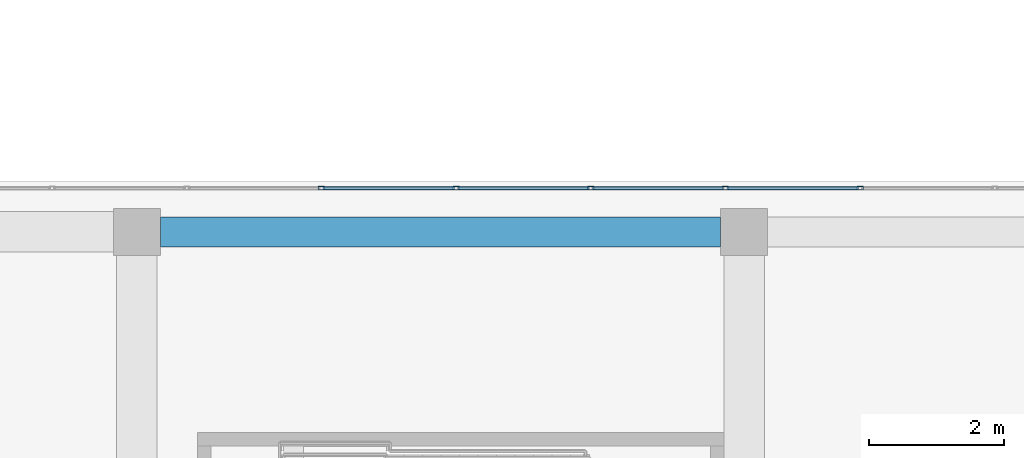
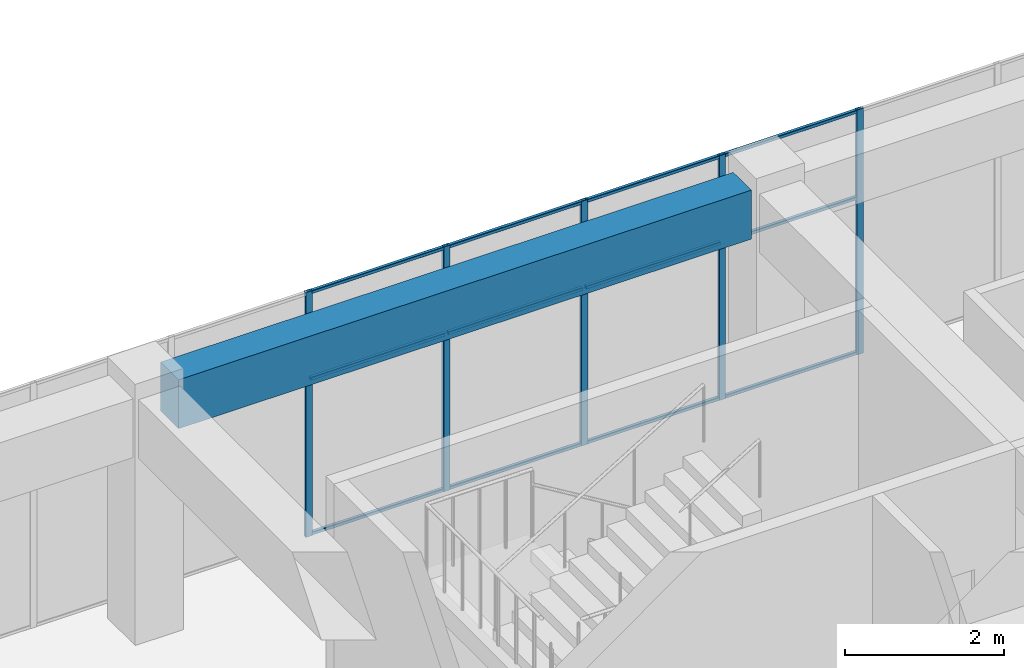
# One storey, part 31 of 49: 17 members, 1 beam, 1 element without a shape of its own.
"""IFC4 building model written with IfcOpenShell, lengths in metres."""

from ifc_helpers import new_model, si_unit, direction, frame, origin, origin_2d, place, context, subcontext, project, spatial, rectangle, hollow_rectangle, extrude, material, layer, layer_set, material_profile, profile_set, type_object, element, aggregate, save


model = new_model("IFC4")

# Units and contexts
model_context = context("Model", 3, precision=1e-05, world=origin(), true_north=direction((0.0, 1.0)))
body_context = subcontext(model_context, "Body", "Model", "MODEL_VIEW")
ifc_project = project(units=[si_unit("LENGTHUNIT", "METRE"), si_unit("AREAUNIT", "SQUARE_METRE"), si_unit("VOLUMEUNIT", "CUBIC_METRE"), si_unit("PLANEANGLEUNIT", "RADIAN"), si_unit("MASSUNIT", "GRAM", prefix="KILO")], contexts=[model_context])

# Site, building, storey
site_placement = place(None, origin())
site = spatial("IfcSite", under=ifc_project, at=site_placement, CompositionType="ELEMENT")
building_placement = place(site_placement, origin())
building = spatial("IfcBuilding", under=site, at=building_placement, Name="Tuart Plaza Theatre", CompositionType="ELEMENT")
storey_placement = place(building_placement, frame((0.0, 0.0, 29.5)))
storey = spatial("IfcBuildingStorey", under=building, at=storey_placement, Name="L07", CompositionType="ELEMENT", Elevation=29.5)

# Beam
ifc_material_1 = material(Name="Concrete N40 (40 MPa)", Category="concrete")
ifc_material_profile_1 = material_profile(ifc_material_1, rectangle(XDim=0.449951171875, YDim=0.75, at=origin_2d()), Name="BEAM 450x750 Concrete N40 (40 MPa)")
ifc_profile_set_1 = profile_set([ifc_material_profile_1], Name="Concrete N40 (40 MPa)")
beam_type = type_object("IfcBeamType", Name="BEAM 450x750 Concrete N40 (40 MPa)", PredefinedType="BEAM", material=ifc_profile_set_1)
beam_placement = place(storey_placement, frame((114.35009765625, 92.0, 3.375), z_axis=(1.0, 0.0, 0.0), x_axis=(0.0, 1.0, 0.0)))
element("IfcBeam", 1, at=beam_placement, inside=storey, type_object=beam_type, Name="RB263", PredefinedType="BEAM", context=body_context, shape_type="SweptSolid", body=[
    extrude(rectangle(XDim=0.449951171875, YDim=0.75, at=origin_2d()), origin(), (0.0, 0.0, 1.0), 8.2998046875),
])

# Curtain wall, members
ifc_material_2 = material(Name="Aluminium and glass", Category="aluminium")
ifc_layer = layer(ifc_material_2, 0.10009765625)
ifc_layer_set = layer_set([ifc_layer], Name="CURTAIN WALL 2000 module")
curtain_wall_type = type_object("IfcCurtainWallType", Name="CURTAIN WALL 2000 module", PredefinedType="NOTDEFINED", material=ifc_layer_set)
curtain_wall_placement = place(storey_placement, origin())
curtain_wall = element("IfcCurtainWall", 2, at=curtain_wall_placement, inside=storey, type_object=curtain_wall_type, Name="CW96", PredefinedType="NOTDEFINED")
ifc_material_3 = material(Name="Aluminium 6063-T5", Category="aluminium")
ifc_material_profile_2 = material_profile(ifc_material_3, hollow_rectangle(XDim=0.050048828125, YDim=0.10009765625, WallThickness=0.00390625, InnerFilletRadius=0.00390625, OuterFilletRadius=0.008056640625, at=origin_2d()), Name="RHS 100x50x4")
ifc_profile_set_2 = profile_set([ifc_material_profile_2], Name="Aluminium 6063-T5")
member_type_1 = type_object("IfcMemberType", Name="MULLION RHS 100x50x4", PredefinedType="MULLION", material=ifc_profile_set_2)
member_1_placement = place(storey_placement, frame((124.71923828125, 92.64990234375, 0.0), z_axis=(0.0, 0.0, 1.0), x_axis=(0.0, -1.0, 0.0)))
member_1 = element("IfcMember", 3, at=member_1_placement, type_object=member_type_1, Name="CW96 mullion 6", PredefinedType="MULLION", context=body_context, shape_type="SweptSolid", body=[
    extrude(hollow_rectangle(XDim=0.050048828125, YDim=0.10009765625, WallThickness=0.00390625, InnerFilletRadius=0.00390625, OuterFilletRadius=0.008056640625, at=origin_2d()), origin(), (0.0, 0.0, 1.0), 3.75),
])
member_2_placement = place(storey_placement, frame((122.72314453125, 92.64990234375, 0.0), z_axis=(0.0, 0.0, 1.0), x_axis=(0.0, -1.0, 0.0)))
member_2 = element("IfcMember", 4, at=member_2_placement, type_object=member_type_1, Name="CW96 mullion 7", PredefinedType="MULLION", context=body_context, shape_type="SweptSolid", body=[
    extrude(hollow_rectangle(XDim=0.050048828125, YDim=0.10009765625, WallThickness=0.00390625, InnerFilletRadius=0.00390625, OuterFilletRadius=0.008056640625, at=origin_2d()), origin(), (0.0, 0.0, 1.0), 3.75),
])
member_3_placement = place(storey_placement, frame((120.726806640625, 92.64990234375, 0.0), z_axis=(0.0, 0.0, 1.0), x_axis=(0.0, -1.0, 0.0)))
member_3 = element("IfcMember", 5, at=member_3_placement, type_object=member_type_1, Name="CW96 mullion 8", PredefinedType="MULLION", context=body_context, shape_type="SweptSolid", body=[
    extrude(hollow_rectangle(XDim=0.050048828125, YDim=0.10009765625, WallThickness=0.00390625, InnerFilletRadius=0.00390625, OuterFilletRadius=0.008056640625, at=origin_2d()), origin(), (0.0, 0.0, 1.0), 3.75),
])
member_4_placement = place(storey_placement, frame((118.730712890625, 92.64990234375, 0.0), z_axis=(0.0, 0.0, 1.0), x_axis=(0.0, -1.0, 0.0)))
member_4 = element("IfcMember", 6, at=member_4_placement, type_object=member_type_1, Name="CW96 mullion 9", PredefinedType="MULLION", context=body_context, shape_type="SweptSolid", body=[
    extrude(hollow_rectangle(XDim=0.050048828125, YDim=0.10009765625, WallThickness=0.00390625, InnerFilletRadius=0.00390625, OuterFilletRadius=0.008056640625, at=origin_2d()), origin(), (0.0, 0.0, 1.0), 3.75),
])
member_5_placement = place(storey_placement, frame((116.734619140625, 92.64990234375, 0.0), z_axis=(0.0, 0.0, 1.0), x_axis=(0.0, -1.0, 0.0)))
member_5 = element("IfcMember", 7, at=member_5_placement, type_object=member_type_1, Name="CW96 mullion 10", PredefinedType="MULLION", context=body_context, shape_type="SweptSolid", body=[
    extrude(hollow_rectangle(XDim=0.050048828125, YDim=0.10009765625, WallThickness=0.00390625, InnerFilletRadius=0.00390625, OuterFilletRadius=0.008056640625, at=origin_2d()), origin(), (0.0, 0.0, 1.0), 3.75),
])
ifc_material_4 = material(Name="Aluminium 6063-T5", Category="aluminium")
ifc_material_profile_3 = material_profile(ifc_material_4, hollow_rectangle(XDim=0.050048828125, YDim=0.050048828125, WallThickness=0.00390625, InnerFilletRadius=0.00390625, OuterFilletRadius=0.008056640625, at=origin_2d()), Name="RHS 50x50x4")
ifc_profile_set_3 = profile_set([ifc_material_profile_3], Name="Aluminium 6063-T5")
member_type_2 = type_object("IfcMemberType", Name="TRANSOM RHS 50x50x4", PredefinedType="USERDEFINED", material=ifc_profile_set_3)
member_6_placement = place(storey_placement, frame((124.6943359375, 92.64990234375, 0.02490234375), z_axis=(-1.0, 0.0, 0.0), x_axis=(0.0, -1.0, 0.0)))
member_6 = element("IfcMember", 8, at=member_6_placement, type_object=member_type_2, Name="CW96 transom 6.1", ObjectType="TRANSOM", PredefinedType="USERDEFINED", context=body_context, shape_type="SweptSolid", body=[
    extrude(hollow_rectangle(XDim=0.050048828125, YDim=0.050048828125, WallThickness=0.00390625, InnerFilletRadius=0.00390625, OuterFilletRadius=0.008056640625, at=origin_2d()), origin(), (0.0, 0.0, 1.0), 1.9462890625),
])
member_7_placement = place(storey_placement, frame((124.6943359375, 92.64990234375, 2.39990234375), z_axis=(-1.0, 0.0, 0.0), x_axis=(0.0, -1.0, 0.0)))
member_7 = element("IfcMember", 9, at=member_7_placement, type_object=member_type_2, Name="CW96 transom 6.2", ObjectType="TRANSOM", PredefinedType="USERDEFINED", context=body_context, shape_type="SweptSolid", body=[
    extrude(hollow_rectangle(XDim=0.050048828125, YDim=0.050048828125, WallThickness=0.00390625, InnerFilletRadius=0.00390625, OuterFilletRadius=0.008056640625, at=origin_2d()), origin(), (0.0, 0.0, 1.0), 1.9462890625),
])
member_8_placement = place(storey_placement, frame((124.6943359375, 92.64990234375, 3.72509765625), z_axis=(-1.0, 0.0, 0.0), x_axis=(0.0, -1.0, 0.0)))
member_8 = element("IfcMember", 10, at=member_8_placement, type_object=member_type_2, Name="CW96 transom 6.3", ObjectType="TRANSOM", PredefinedType="USERDEFINED", context=body_context, shape_type="SweptSolid", body=[
    extrude(hollow_rectangle(XDim=0.050048828125, YDim=0.050048828125, WallThickness=0.00390625, InnerFilletRadius=0.00390625, OuterFilletRadius=0.008056640625, at=origin_2d()), origin(), (0.0, 0.0, 1.0), 1.9462890625),
])
member_9_placement = place(storey_placement, frame((122.697998046875, 92.64990234375, 0.02490234375), z_axis=(-1.0, 0.0, 0.0), x_axis=(0.0, -1.0, 0.0)))
member_9 = element("IfcMember", 11, at=member_9_placement, type_object=member_type_2, Name="CW96 transom 7.1", ObjectType="TRANSOM", PredefinedType="USERDEFINED", context=body_context, shape_type="SweptSolid", body=[
    extrude(hollow_rectangle(XDim=0.050048828125, YDim=0.050048828125, WallThickness=0.00390625, InnerFilletRadius=0.00390625, OuterFilletRadius=0.008056640625, at=origin_2d()), origin(), (0.0, 0.0, 1.0), 1.946044921875),
])
member_10_placement = place(storey_placement, frame((122.697998046875, 92.64990234375, 2.39990234375), z_axis=(-1.0, 0.0, 0.0), x_axis=(0.0, -1.0, 0.0)))
member_10 = element("IfcMember", 12, at=member_10_placement, type_object=member_type_2, Name="CW96 transom 7.2", ObjectType="TRANSOM", PredefinedType="USERDEFINED", context=body_context, shape_type="SweptSolid", body=[
    extrude(hollow_rectangle(XDim=0.050048828125, YDim=0.050048828125, WallThickness=0.00390625, InnerFilletRadius=0.00390625, OuterFilletRadius=0.008056640625, at=origin_2d()), origin(), (0.0, 0.0, 1.0), 1.946044921875),
])
member_11_placement = place(storey_placement, frame((122.697998046875, 92.64990234375, 3.72509765625), z_axis=(-1.0, 0.0, 0.0), x_axis=(0.0, -1.0, 0.0)))
member_11 = element("IfcMember", 13, at=member_11_placement, type_object=member_type_2, Name="CW96 transom 7.3", ObjectType="TRANSOM", PredefinedType="USERDEFINED", context=body_context, shape_type="SweptSolid", body=[
    extrude(hollow_rectangle(XDim=0.050048828125, YDim=0.050048828125, WallThickness=0.00390625, InnerFilletRadius=0.00390625, OuterFilletRadius=0.008056640625, at=origin_2d()), origin(), (0.0, 0.0, 1.0), 1.946044921875),
])
member_12_placement = place(storey_placement, frame((120.701904296875, 92.64990234375, 0.02490234375), z_axis=(-1.0, 0.0, 0.0), x_axis=(0.0, -1.0, 0.0)))
member_12 = element("IfcMember", 14, at=member_12_placement, type_object=member_type_2, Name="CW96 transom 8.1", ObjectType="TRANSOM", PredefinedType="USERDEFINED", context=body_context, shape_type="SweptSolid", body=[
    extrude(hollow_rectangle(XDim=0.050048828125, YDim=0.050048828125, WallThickness=0.00390625, InnerFilletRadius=0.00390625, OuterFilletRadius=0.008056640625, at=origin_2d()), origin(), (0.0, 0.0, 1.0), 1.946044921875),
])
member_13_placement = place(storey_placement, frame((120.701904296875, 92.64990234375, 2.39990234375), z_axis=(-1.0, 0.0, 0.0), x_axis=(0.0, -1.0, 0.0)))
member_13 = element("IfcMember", 15, at=member_13_placement, type_object=member_type_2, Name="CW96 transom 8.2", ObjectType="TRANSOM", PredefinedType="USERDEFINED", context=body_context, shape_type="SweptSolid", body=[
    extrude(hollow_rectangle(XDim=0.050048828125, YDim=0.050048828125, WallThickness=0.00390625, InnerFilletRadius=0.00390625, OuterFilletRadius=0.008056640625, at=origin_2d()), origin(), (0.0, 0.0, 1.0), 1.946044921875),
])
member_14_placement = place(storey_placement, frame((120.701904296875, 92.64990234375, 3.72509765625), z_axis=(-1.0, 0.0, 0.0), x_axis=(0.0, -1.0, 0.0)))
member_14 = element("IfcMember", 16, at=member_14_placement, type_object=member_type_2, Name="CW96 transom 8.3", ObjectType="TRANSOM", PredefinedType="USERDEFINED", context=body_context, shape_type="SweptSolid", body=[
    extrude(hollow_rectangle(XDim=0.050048828125, YDim=0.050048828125, WallThickness=0.00390625, InnerFilletRadius=0.00390625, OuterFilletRadius=0.008056640625, at=origin_2d()), origin(), (0.0, 0.0, 1.0), 1.946044921875),
])
member_15_placement = place(storey_placement, frame((118.705810546875, 92.64990234375, 0.02490234375), z_axis=(-1.0, 0.0, 0.0), x_axis=(0.0, -1.0, 0.0)))
member_15 = element("IfcMember", 17, at=member_15_placement, type_object=member_type_2, Name="CW96 transom 9.1", ObjectType="TRANSOM", PredefinedType="USERDEFINED", context=body_context, shape_type="SweptSolid", body=[
    extrude(hollow_rectangle(XDim=0.050048828125, YDim=0.050048828125, WallThickness=0.00390625, InnerFilletRadius=0.00390625, OuterFilletRadius=0.008056640625, at=origin_2d()), origin(), (0.0, 0.0, 1.0), 1.9462890625),
])
member_16_placement = place(storey_placement, frame((118.705810546875, 92.64990234375, 2.39990234375), z_axis=(-1.0, 0.0, 0.0), x_axis=(0.0, -1.0, 0.0)))
member_16 = element("IfcMember", 18, at=member_16_placement, type_object=member_type_2, Name="CW96 transom 9.2", ObjectType="TRANSOM", PredefinedType="USERDEFINED", context=body_context, shape_type="SweptSolid", body=[
    extrude(hollow_rectangle(XDim=0.050048828125, YDim=0.050048828125, WallThickness=0.00390625, InnerFilletRadius=0.00390625, OuterFilletRadius=0.008056640625, at=origin_2d()), origin(), (0.0, 0.0, 1.0), 1.9462890625),
])
member_17_placement = place(storey_placement, frame((118.705810546875, 92.64990234375, 3.72509765625), z_axis=(-1.0, 0.0, 0.0), x_axis=(0.0, -1.0, 0.0)))
member_17 = element("IfcMember", 19, at=member_17_placement, type_object=member_type_2, Name="CW96 transom 9.3", ObjectType="TRANSOM", PredefinedType="USERDEFINED", context=body_context, shape_type="SweptSolid", body=[
    extrude(hollow_rectangle(XDim=0.050048828125, YDim=0.050048828125, WallThickness=0.00390625, InnerFilletRadius=0.00390625, OuterFilletRadius=0.008056640625, at=origin_2d()), origin(), (0.0, 0.0, 1.0), 1.9462890625),
])
aggregate(curtain_wall, [member_1, member_2, member_3, member_4, member_5, member_6, member_7, member_8, member_9, member_10, member_11, member_12, member_13, member_14, member_15, member_16, member_17])

save(model, "model.ifc")
